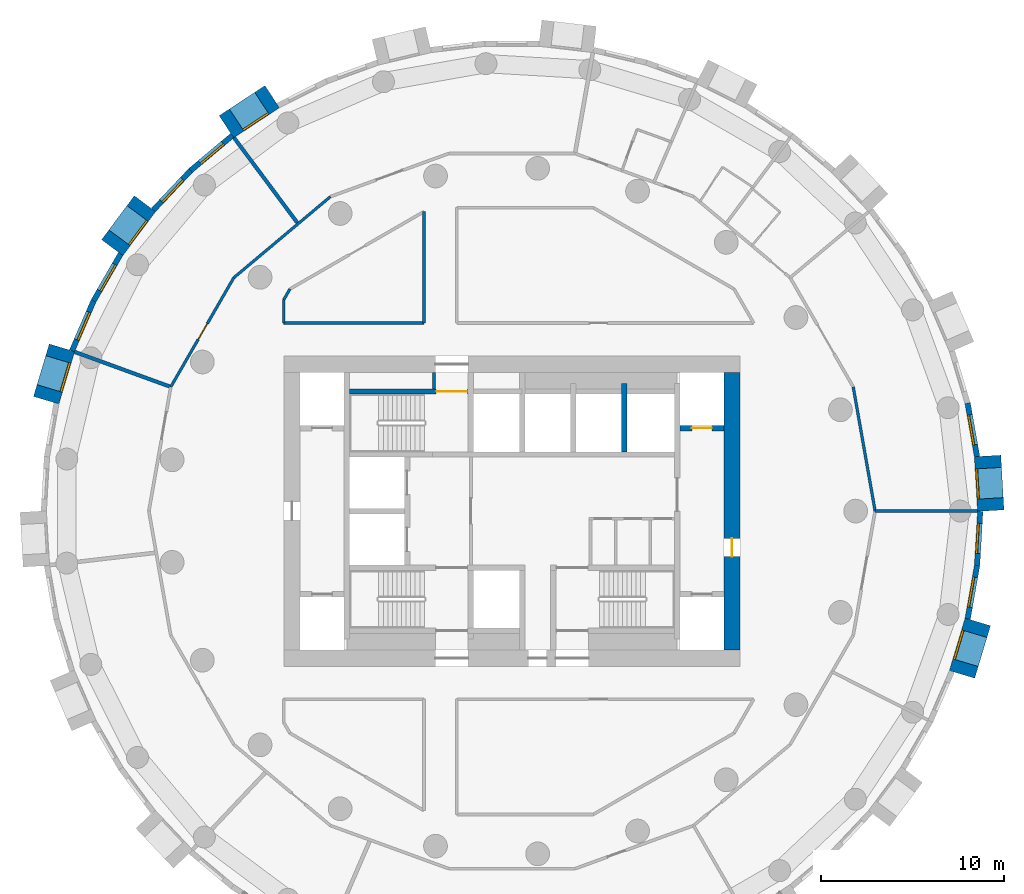
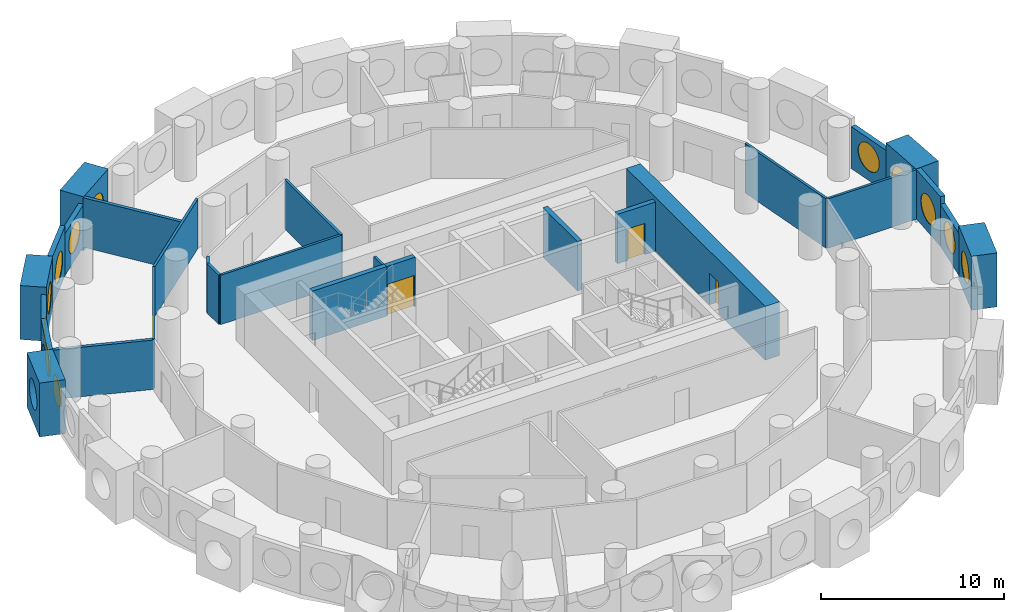
# One storey, part 5 of 9: 28 walls, 12 windows, 4 doors, 16 openings.
"""IFC4 building model written with IfcOpenShell, lengths in metres."""

from ifc_helpers import new_model, si_unit, direction, frame, frame_2d, origin, origin_2d, place, context, subcontext, project, spatial, rectangle, circle, extrude, material, layer, layer_set, type_object, element, fill, save


model = new_model("IFC4")

# Units and contexts
model_context = context("Model", 3, precision=1e-05, world=origin(), true_north=direction((0.0, 1.0)))
body_context = subcontext(model_context, "Body", "Model", "MODEL_VIEW")
ifc_project = project(units=[si_unit("LENGTHUNIT", "METRE"), si_unit("AREAUNIT", "SQUARE_METRE"), si_unit("VOLUMEUNIT", "CUBIC_METRE"), si_unit("PLANEANGLEUNIT", "RADIAN"), si_unit("MASSUNIT", "GRAM", prefix="KILO")], contexts=[model_context])

# Site, building, storey
site_placement = place(None, origin())
site = spatial("IfcSite", under=ifc_project, at=site_placement, CompositionType="ELEMENT")
building_placement = place(site_placement, origin())
building = spatial("IfcBuilding", under=site, at=building_placement, Name="Tracery Tower", CompositionType="ELEMENT")
storey_placement = place(building_placement, frame((0.0, 0.0, 154.800048828125)))
storey = spatial("IfcBuildingStorey", under=building, at=storey_placement, Name="L39", CompositionType="ELEMENT", Elevation=154.800048828125)

# Wall
ifc_material_1 = material(Name="Plasterboard on steel studs", Category="steel")
ifc_layer_1 = layer(ifc_material_1, 0.14990234375)
ifc_layer_set_1 = layer_set([ifc_layer_1], Name="Core room partition 150")
wall_type_1 = type_object("IfcWallType", Name="Core room partition 150", PredefinedType="SOLIDWALL", material=ifc_layer_set_1)
wall_1_placement = place(storey_placement, frame((-4.27490234375, 6.699951171875, 0.0), z_axis=(0.0, 0.0, 1.0), x_axis=(0.0, 1.0, 0.0)))
element("IfcWall", 1, at=wall_1_placement, inside=storey, type_object=wall_type_1, Name="L39 F N room", PredefinedType="SOLIDWALL", context=body_context, shape_type="SweptSolid", body=[
    extrude(rectangle(XDim=0.900146484375, YDim=0.14990234375, at=frame_2d((0.4501953125, 0.0))), origin(), (0.0, 0.0, 1.0), 3.300048828125),
])

# Wall, opening, door
ifc_material_2 = material(Name="Concrete C50/60", Category="concrete")
ifc_layer_2 = layer(ifc_material_2, 0.89990234375)
ifc_layer_set_2 = layer_set([ifc_layer_2], Name="Core wall 900 C50")
wall_type_2 = type_object("IfcWallType", Name="Core wall 900 C50", PredefinedType="SOLIDWALL", material=ifc_layer_set_2)
wall_2_placement = place(storey_placement, frame((12.050048828125, -7.60009765625, 0.0), z_axis=(0.0, 0.0, 1.0), x_axis=(0.0, 1.0, 0.0)))
wall_2 = element("IfcWall", 2, at=wall_2_placement, inside=storey, type_object=wall_type_2, Name="L39 outer E", PredefinedType="SOLIDWALL", context=body_context, shape_type="SweptSolid", body=[
    extrude(rectangle(XDim=15.2001953125, YDim=0.89990234375, at=frame_2d((7.60009765625, 0.0))), origin(), (0.0, 0.0, 1.0), 3.599853515625),
])
opening_1_placement = place(wall_2_placement, frame((5.10009765625, 0.0, 0.0)))
opening_1 = element("IfcOpeningElement", 3, at=opening_1_placement, cuts=wall_2, Name="Opening KD18", PredefinedType="OPENING", context=body_context, shape_type="SweptSolid", body=[
    extrude(rectangle(XDim=1.0, YDim=2.10009765625, at=frame_2d((0.5, 1.050048828125))), frame((0.0, 0.449951171875, 0.0), z_axis=(0.0, -1.0, 0.0), x_axis=(1.0, 0.0, 0.0)), (0.0, 0.0, 1.0), 0.89990234375),
])
ifc_material_3 = material(Name="Steel fire door", Category="steel")
door_type_1 = type_object("IfcDoorType", Name="Core exit door 1000", OperationType="NOTDEFINED", PredefinedType="DOOR", material=ifc_material_3)
door_1_placement = place(opening_1_placement, origin())
door_1 = element("IfcDoor", 4, at=door_1_placement, inside=storey, type_object=door_type_1, Name="Core exit door", OperationType="DOUBLE_DOOR_SINGLE_SWING", OverallHeight=2.10009765625, OverallWidth=1.0, PredefinedType="DOOR", context=body_context, shape_type="SweptSolid", body=[
    extrude(rectangle(XDim=1.0, YDim=2.10009765625, at=frame_2d((0.5, 1.050048828125))), frame((0.0, 0.02490234375, 0.0), z_axis=(0.0, -1.0, 0.0), x_axis=(1.0, 0.0, 0.0)), (0.0, 0.0, 1.0), 0.050048828125),
])
fill(opening_1, door_1)

# Wall, opening, window
ifc_material_4 = material(Name="Precast concrete C50/60", Category="concrete")
ifc_layer_3 = layer(ifc_material_4, 1.449951171875)
ifc_layer_set_3 = layer_set([ifc_layer_3], Name="Deep-set bay unit 3000 x 3600, slab edge 300")
wall_type_3 = type_object("IfcWallType", Name="Deep-set bay unit 3000 x 3600, slab edge 300", PredefinedType="ELEMENTEDWALL", material=ifc_layer_set_3)
wall_3_placement = place(storey_placement, frame((26.221923828125, 0.024658203125, -0.300048828125), z_axis=(0.0, 0.0, 1.0), x_axis=(-0.058106596105, 0.998310384344, 0.0)))
wall_3 = element("IfcWall", 5, at=wall_3_placement, inside=storey, type_object=wall_type_3, Name="Deep-set bay unit 1 at L39", PredefinedType="ELEMENTEDWALL", context=body_context, shape_type="SweptSolid", body=[
    extrude(rectangle(XDim=3.0, YDim=1.449951171875, at=frame_2d((1.5, 0.0))), origin(), (0.0, 0.0, 1.0), 3.60009765625),
])
opening_2_placement = place(wall_3_placement, frame((1.5, 0.0, 1.85009765625)))
opening_2 = element("IfcOpeningElement", 6, at=opening_2_placement, cuts=wall_3, Name="Opening WN1", PredefinedType="OPENING", context=body_context, shape_type="SweptSolid", body=[
    extrude(circle(Radius=0.9000244140625, at=origin_2d()), frame((0.0, 0.73486328125, 0.0), z_axis=(0.0, -1.0, 0.0), x_axis=(1.0, 0.0, 0.0)), (0.0, 0.0, 1.0), 1.469970703125),
])
ifc_material_5 = material(Name="Aluminium frame with tinted double glazing", Category="aluminium")
window_type = type_object("IfcWindowType", Name="Round window 1800", PartitioningType="SINGLE_PANEL", PredefinedType="WINDOW", material=ifc_material_5)
window_1_placement = place(opening_2_placement, origin())
window_1 = element("IfcWindow", 7, at=window_1_placement, inside=storey, type_object=window_type, Name="Round window 1 at L39", OverallHeight=1.800048828125, OverallWidth=1.800048828125, PartitioningType="SINGLE_PANEL", PredefinedType="WINDOW", context=body_context, shape_type="SweptSolid", body=[
    extrude(circle(Radius=0.9000244140625, at=origin_2d()), frame((0.0, 0.69482421875, 0.0), z_axis=(0.0, -1.0, 0.0), x_axis=(1.0, 0.0, 0.0)), (0.0, 0.0, 1.0), 0.10009765625),
])
fill(opening_2, window_1)

wall_4_placement = place(storey_placement, frame((-13.13232421875, 22.696533203125, -0.300048828125), z_axis=(0.0, 0.0, 1.0), x_axis=(-0.835514416706, -0.549468524554, 0.0)))
wall_4 = element("IfcWall", 8, at=wall_4_placement, inside=storey, type_object=wall_type_3, Name="Deep-set bay unit 19 at L39", PredefinedType="ELEMENTEDWALL", context=body_context, shape_type="SweptSolid", body=[
    extrude(rectangle(XDim=3.0, YDim=1.449951171875, at=frame_2d((1.5, 0.0))), origin(), (0.0, 0.0, 1.0), 3.60009765625),
])
opening_3_placement = place(wall_4_placement, frame((1.5, 0.0, 1.85009765625)))
opening_3 = element("IfcOpeningElement", 9, at=opening_3_placement, cuts=wall_4, Name="Opening WN1", PredefinedType="OPENING", context=body_context, shape_type="SweptSolid", body=[
    extrude(circle(Radius=0.9000244140625, at=origin_2d()), frame((0.0, 0.73486328125, 0.0), z_axis=(0.0, -1.0, 0.0), x_axis=(1.0, 0.0, 0.0)), (0.0, 0.0, 1.0), 1.469970703125),
])
window_2_placement = place(opening_3_placement, origin())
window_2 = element("IfcWindow", 10, at=window_2_placement, inside=storey, type_object=window_type, Name="Round window 19 at L39", OverallHeight=1.800048828125, OverallWidth=1.800048828125, PartitioningType="SINGLE_PANEL", PredefinedType="WINDOW", context=body_context, shape_type="SweptSolid", body=[
    extrude(circle(Radius=0.9000244140625, at=origin_2d()), frame((0.0, 0.69482421875, 0.0), z_axis=(0.0, -1.0, 0.0), x_axis=(1.0, 0.0, 0.0)), (0.0, 0.0, 1.0), 0.10009765625),
])
fill(opening_3, window_2)

wall_5_placement = place(storey_placement, frame((-20.10302734375, 16.836181640625, -0.300048828125), z_axis=(0.0, 0.0, 1.0), x_axis=(-0.597183717734, -0.802104486506, 0.0)))
wall_5 = element("IfcWall", 11, at=wall_5_placement, inside=storey, type_object=wall_type_3, Name="Deep-set bay unit 22 at L39", PredefinedType="ELEMENTEDWALL", context=body_context, shape_type="SweptSolid", body=[
    extrude(rectangle(XDim=3.0, YDim=1.449951171875, at=frame_2d((1.5, 0.0))), origin(), (0.0, 0.0, 1.0), 3.60009765625),
])
opening_4_placement = place(wall_5_placement, frame((1.5, 0.0, 1.85009765625)))
opening_4 = element("IfcOpeningElement", 12, at=opening_4_placement, cuts=wall_5, Name="Opening WN1", PredefinedType="OPENING", context=body_context, shape_type="SweptSolid", body=[
    extrude(circle(Radius=0.9000244140625, at=origin_2d()), frame((0.0, 0.73486328125, 0.0), z_axis=(0.0, -1.0, 0.0), x_axis=(1.0, 0.0, 0.0)), (0.0, 0.0, 1.0), 1.469970703125),
])
window_3_placement = place(opening_4_placement, origin())
window_3 = element("IfcWindow", 13, at=window_3_placement, inside=storey, type_object=window_type, Name="Round window 22 at L39", OverallHeight=1.800048828125, OverallWidth=1.800048828125, PartitioningType="SINGLE_PANEL", PredefinedType="WINDOW", context=body_context, shape_type="SweptSolid", body=[
    extrude(circle(Radius=0.9000244140625, at=origin_2d()), frame((0.0, 0.69482421875, 0.0), z_axis=(0.0, -1.0, 0.0), x_axis=(1.0, 0.0, 0.0)), (0.0, 0.0, 1.0), 0.10009765625),
])
fill(opening_4, window_3)

wall_6_placement = place(storey_placement, frame((-24.649169921875, 8.9453125, -0.300048828125), z_axis=(0.0, 0.0, 1.0), x_axis=(-0.286780420304, -0.957996341606, 0.0)))
wall_6 = element("IfcWall", 14, at=wall_6_placement, inside=storey, type_object=wall_type_3, Name="Deep-set bay unit 25 at L39", PredefinedType="ELEMENTEDWALL", context=body_context, shape_type="SweptSolid", body=[
    extrude(rectangle(XDim=3.0, YDim=1.449951171875, at=frame_2d((1.5, 0.0))), origin(), (0.0, 0.0, 1.0), 3.60009765625),
])
opening_5_placement = place(wall_6_placement, frame((1.5, 0.0, 1.85009765625)))
opening_5 = element("IfcOpeningElement", 15, at=opening_5_placement, cuts=wall_6, Name="Opening WN1", PredefinedType="OPENING", context=body_context, shape_type="SweptSolid", body=[
    extrude(circle(Radius=0.9000244140625, at=origin_2d()), frame((0.0, 0.73486328125, 0.0), z_axis=(0.0, -1.0, 0.0), x_axis=(1.0, 0.0, 0.0)), (0.0, 0.0, 1.0), 1.469970703125),
])
window_4_placement = place(opening_5_placement, origin())
window_4 = element("IfcWindow", 16, at=window_4_placement, inside=storey, type_object=window_type, Name="Round window 25 at L39", OverallHeight=1.800048828125, OverallWidth=1.800048828125, PartitioningType="SINGLE_PANEL", PredefinedType="WINDOW", context=body_context, shape_type="SweptSolid", body=[
    extrude(circle(Radius=0.9000244140625, at=origin_2d()), frame((0.0, 0.69482421875, 0.0), z_axis=(0.0, -1.0, 0.0), x_axis=(1.0, 0.0, 0.0)), (0.0, 0.0, 1.0), 0.10009765625),
])
fill(opening_5, window_4)

wall_7_placement = place(storey_placement, frame((24.649169921875, -8.9453125, -0.300048828125), z_axis=(0.0, 0.0, 1.0), x_axis=(0.286780420304, 0.957996341606, 0.0)))
wall_7 = element("IfcWall", 17, at=wall_7_placement, inside=storey, type_object=wall_type_3, Name="Deep-set bay unit 52 at L39", PredefinedType="ELEMENTEDWALL", context=body_context, shape_type="SweptSolid", body=[
    extrude(rectangle(XDim=3.0, YDim=1.449951171875, at=frame_2d((1.5, 0.0))), origin(), (0.0, 0.0, 1.0), 3.60009765625),
])
opening_6_placement = place(wall_7_placement, frame((1.5, 0.0, 1.85009765625)))
opening_6 = element("IfcOpeningElement", 18, at=opening_6_placement, cuts=wall_7, Name="Opening WN1", PredefinedType="OPENING", context=body_context, shape_type="SweptSolid", body=[
    extrude(circle(Radius=0.9000244140625, at=origin_2d()), frame((0.0, 0.73486328125, 0.0), z_axis=(0.0, -1.0, 0.0), x_axis=(1.0, 0.0, 0.0)), (0.0, 0.0, 1.0), 1.469970703125),
])
window_5_placement = place(opening_6_placement, origin())
window_5 = element("IfcWindow", 19, at=window_5_placement, inside=storey, type_object=window_type, Name="Round window 52 at L39", OverallHeight=1.800048828125, OverallWidth=1.800048828125, PartitioningType="SINGLE_PANEL", PredefinedType="WINDOW", context=body_context, shape_type="SweptSolid", body=[
    extrude(circle(Radius=0.9000244140625, at=origin_2d()), frame((0.0, 0.69482421875, 0.0), z_axis=(0.0, -1.0, 0.0), x_axis=(1.0, 0.0, 0.0)), (0.0, 0.0, 1.0), 0.10009765625),
])
fill(opening_6, window_5)

ifc_material_6 = material(Name="Precast concrete C50/60", Category="concrete")
ifc_layer_4 = layer(ifc_material_6, 0.300048828125)
ifc_layer_set_4 = layer_set([ifc_layer_4], Name="Facade panel 3000 x 2800")
wall_type_4 = type_object("IfcWallType", Name="Facade panel 3000 x 2800", PredefinedType="SOLIDWALL", material=ifc_layer_set_4)
wall_8_placement = place(storey_placement, frame((25.472412109375, 2.987060546875, 0.0), z_axis=(0.0, 0.0, 1.0), x_axis=(-0.173686952598, 0.984800915159, 0.0)))
wall_8 = element("IfcWall", 20, at=wall_8_placement, inside=storey, type_object=wall_type_4, Name="Facade panel 2 at L39", PredefinedType="SOLIDWALL", context=body_context, shape_type="SweptSolid", body=[
    extrude(rectangle(XDim=2.972900390625, YDim=0.300048828125, at=frame_2d((1.486328125, 0.0))), origin(), (0.0, 0.0, 1.0), 2.800048828125),
])
opening_7_placement = place(wall_8_placement, frame((1.486328125, 0.0, 1.5498046875)))
opening_7 = element("IfcOpeningElement", 21, at=opening_7_placement, cuts=wall_8, Name="Opening WN1", PredefinedType="OPENING", context=body_context, shape_type="SweptSolid", body=[
    extrude(circle(Radius=0.9000244140625, at=origin_2d()), frame((0.0, 0.159912109375, 0.0), z_axis=(0.0, -1.0, 0.0), x_axis=(1.0, 0.0, 0.0)), (0.0, 0.0, 1.0), 0.320068359375),
])
window_6_placement = place(opening_7_placement, origin())
window_6 = element("IfcWindow", 22, at=window_6_placement, inside=storey, type_object=window_type, Name="Round window 2 at L39", OverallHeight=1.800048828125, OverallWidth=1.800048828125, PartitioningType="SINGLE_PANEL", PredefinedType="WINDOW", context=body_context, shape_type="SweptSolid", body=[
    extrude(circle(Radius=0.9000244140625, at=origin_2d()), frame((0.0, 0.1201171875, 0.0), z_axis=(0.0, -1.0, 0.0), x_axis=(1.0, 0.0, 0.0)), (0.0, 0.0, 1.0), 0.10009765625),
])
fill(opening_7, window_6)

wall_9_placement = place(storey_placement, frame((-15.322998046875, 20.566162109375, 0.0), z_axis=(0.0, 0.0, 1.0), x_axis=(-0.766049350637, -0.642781761089, 0.0)))
wall_9 = element("IfcWall", 23, at=wall_9_placement, inside=storey, type_object=wall_type_4, Name="Facade panel 20 at L39", PredefinedType="SOLIDWALL", context=body_context, shape_type="SweptSolid", body=[
    extrude(rectangle(XDim=2.972900390625, YDim=0.300048828125, at=frame_2d((1.486328125, 0.0))), origin(), (0.0, 0.0, 1.0), 2.800048828125),
])
opening_8_placement = place(wall_9_placement, frame((1.486328125, 0.0, 1.5498046875)))
opening_8 = element("IfcOpeningElement", 24, at=opening_8_placement, cuts=wall_9, Name="Opening WN1", PredefinedType="OPENING", context=body_context, shape_type="SweptSolid", body=[
    extrude(circle(Radius=0.9000244140625, at=origin_2d()), frame((0.0, 0.159912109375, 0.0), z_axis=(0.0, -1.0, 0.0), x_axis=(1.0, 0.0, 0.0)), (0.0, 0.0, 1.0), 0.320068359375),
])
window_7_placement = place(opening_8_placement, origin())
window_7 = element("IfcWindow", 25, at=window_7_placement, inside=storey, type_object=window_type, Name="Round window 20 at L39", OverallHeight=1.800048828125, OverallWidth=1.800048828125, PartitioningType="SINGLE_PANEL", PredefinedType="WINDOW", context=body_context, shape_type="SweptSolid", body=[
    extrude(circle(Radius=0.9000244140625, at=origin_2d()), frame((0.0, 0.1201171875, 0.0), z_axis=(0.0, -1.0, 0.0), x_axis=(1.0, 0.0, 0.0)), (0.0, 0.0, 1.0), 0.10009765625),
])
fill(opening_8, window_7)

wall_10_placement = place(storey_placement, frame((-21.432861328125, 14.085205078125, 0.0), z_axis=(0.0, 0.0, 1.0), x_axis=(-0.500016263033, -0.866016014115, 0.0)))
wall_10 = element("IfcWall", 26, at=wall_10_placement, inside=storey, type_object=wall_type_4, Name="Facade panel 23 at L39", PredefinedType="SOLIDWALL", context=body_context, shape_type="SweptSolid", body=[
    extrude(rectangle(XDim=2.97314453125, YDim=0.300048828125, at=frame_2d((1.486572265625, 0.0))), origin(), (0.0, 0.0, 1.0), 2.800048828125),
])
opening_9_placement = place(wall_10_placement, frame((1.486328125, 0.0, 1.5498046875)))
opening_9 = element("IfcOpeningElement", 27, at=opening_9_placement, cuts=wall_10, Name="Opening WN1", PredefinedType="OPENING", context=body_context, shape_type="SweptSolid", body=[
    extrude(circle(Radius=0.9000244140625, at=origin_2d()), frame((0.0, 0.159912109375, 0.0), z_axis=(0.0, -1.0, 0.0), x_axis=(1.0, 0.0, 0.0)), (0.0, 0.0, 1.0), 0.320068359375),
])
window_8_placement = place(opening_9_placement, origin())
window_8 = element("IfcWindow", 28, at=window_8_placement, inside=storey, type_object=window_type, Name="Round window 23 at L39", OverallHeight=1.800048828125, OverallWidth=1.800048828125, PartitioningType="SINGLE_PANEL", PredefinedType="WINDOW", context=body_context, shape_type="SweptSolid", body=[
    extrude(circle(Radius=0.9000244140625, at=origin_2d()), frame((0.0, 0.1201171875, 0.0), z_axis=(0.0, -1.0, 0.0), x_axis=(1.0, 0.0, 0.0)), (0.0, 0.0, 1.0), 0.10009765625),
])
fill(opening_9, window_8)

wall_11_placement = place(storey_placement, frame((24.957763671875, -5.9052734375, 0.0), z_axis=(0.0, 0.0, 1.0), x_axis=(0.173686952598, 0.984800915159, 0.0)))
wall_11 = element("IfcWall", 29, at=wall_11_placement, inside=storey, type_object=wall_type_4, Name="Facade panel 53 at L39", PredefinedType="SOLIDWALL", context=body_context, shape_type="SweptSolid", body=[
    extrude(rectangle(XDim=2.972900390625, YDim=0.300048828125, at=frame_2d((1.486328125, 0.0))), origin(), (0.0, 0.0, 1.0), 2.800048828125),
])
opening_10_placement = place(wall_11_placement, frame((1.486328125, 0.0, 1.5498046875)))
opening_10 = element("IfcOpeningElement", 30, at=opening_10_placement, cuts=wall_11, Name="Opening WN1", PredefinedType="OPENING", context=body_context, shape_type="SweptSolid", body=[
    extrude(circle(Radius=0.9000244140625, at=origin_2d()), frame((0.0, 0.159912109375, 0.0), z_axis=(0.0, -1.0, 0.0), x_axis=(1.0, 0.0, 0.0)), (0.0, 0.0, 1.0), 0.320068359375),
])
window_9_placement = place(opening_10_placement, origin())
window_9 = element("IfcWindow", 31, at=window_9_placement, inside=storey, type_object=window_type, Name="Round window 53 at L39", OverallHeight=1.800048828125, OverallWidth=1.800048828125, PartitioningType="SINGLE_PANEL", PredefinedType="WINDOW", context=body_context, shape_type="SweptSolid", body=[
    extrude(circle(Radius=0.9000244140625, at=origin_2d()), frame((0.0, 0.1201171875, 0.0), z_axis=(0.0, -1.0, 0.0), x_axis=(1.0, 0.0, 0.0)), (0.0, 0.0, 1.0), 0.10009765625),
])
fill(opening_10, window_9)

ifc_material_7 = material(Name="Precast concrete C50/60", Category="concrete")
ifc_layer_5 = layer(ifc_material_7, 0.300048828125)
ifc_layer_set_5 = layer_set([ifc_layer_5], Name="Facade panel 3000 x 3300")
wall_type_5 = type_object("IfcWallType", Name="Facade panel 3000 x 3300", PredefinedType="SOLIDWALL", material=ifc_layer_set_5)
wall_12_placement = place(storey_placement, frame((-17.600341796875, 18.6552734375, 0.0), z_axis=(0.0, 0.0, 1.0), x_axis=(-0.686235184166, -0.727379730273, 0.0)))
wall_12 = element("IfcWall", 32, at=wall_12_placement, inside=storey, type_object=wall_type_5, Name="Facade panel 21 at L39", PredefinedType="SOLIDWALL", context=body_context, shape_type="SweptSolid", body=[
    extrude(rectangle(XDim=2.972900390625, YDim=0.300048828125, at=frame_2d((1.486328125, 0.0))), origin(), (0.0, 0.0, 1.0), 3.300048828125),
])
opening_11_placement = place(wall_12_placement, frame((1.486328125, 0.0, 1.5498046875)))
opening_11 = element("IfcOpeningElement", 33, at=opening_11_placement, cuts=wall_12, Name="Opening WN1", PredefinedType="OPENING", context=body_context, shape_type="SweptSolid", body=[
    extrude(circle(Radius=0.9000244140625, at=origin_2d()), frame((0.0, 0.159912109375, 0.0), z_axis=(0.0, -1.0, 0.0), x_axis=(1.0, 0.0, 0.0)), (0.0, 0.0, 1.0), 0.320068359375),
])
window_10_placement = place(opening_11_placement, origin())
window_10 = element("IfcWindow", 34, at=window_10_placement, inside=storey, type_object=window_type, Name="Round window 21 at L39", OverallHeight=1.800048828125, OverallWidth=1.800048828125, PartitioningType="SINGLE_PANEL", PredefinedType="WINDOW", context=body_context, shape_type="SweptSolid", body=[
    extrude(circle(Radius=0.9000244140625, at=origin_2d()), frame((0.0, 0.1201171875, 0.0), z_axis=(0.0, -1.0, 0.0), x_axis=(1.0, 0.0, 0.0)), (0.0, 0.0, 1.0), 0.10009765625),
])
fill(opening_11, window_10)

wall_13_placement = place(storey_placement, frame((-22.91943359375, 11.510498046875, 0.0), z_axis=(0.0, 0.0, 1.0), x_axis=(-0.396078892785, -0.918216483565, 0.0)))
wall_13 = element("IfcWall", 35, at=wall_13_placement, inside=storey, type_object=wall_type_5, Name="Facade panel 24 at L39", PredefinedType="SOLIDWALL", context=body_context, shape_type="SweptSolid", body=[
    extrude(rectangle(XDim=2.972900390625, YDim=0.300048828125, at=frame_2d((1.486328125, 0.0))), origin(), (0.0, 0.0, 1.0), 3.300048828125),
])
opening_12_placement = place(wall_13_placement, frame((1.486328125, 0.0, 1.5498046875)))
opening_12 = element("IfcOpeningElement", 36, at=opening_12_placement, cuts=wall_13, Name="Opening WN1", PredefinedType="OPENING", context=body_context, shape_type="SweptSolid", body=[
    extrude(circle(Radius=0.9000244140625, at=origin_2d()), frame((0.0, 0.159912109375, 0.0), z_axis=(0.0, -1.0, 0.0), x_axis=(1.0, 0.0, 0.0)), (0.0, 0.0, 1.0), 0.320068359375),
])
window_11_placement = place(opening_12_placement, origin())
window_11 = element("IfcWindow", 37, at=window_11_placement, inside=storey, type_object=window_type, Name="Round window 24 at L39", OverallHeight=1.800048828125, OverallWidth=1.800048828125, PartitioningType="SINGLE_PANEL", PredefinedType="WINDOW", context=body_context, shape_type="SweptSolid", body=[
    extrude(circle(Radius=0.9000244140625, at=origin_2d()), frame((0.0, 0.1201171875, 0.0), z_axis=(0.0, -1.0, 0.0), x_axis=(1.0, 0.0, 0.0)), (0.0, 0.0, 1.0), 0.10009765625),
])
fill(opening_12, window_11)

wall_14_placement = place(storey_placement, frame((25.47412109375, -2.9775390625, 0.0), z_axis=(0.0, 0.0, 1.0), x_axis=(0.058139540521, 0.998308466271, 0.0)))
wall_14 = element("IfcWall", 38, at=wall_14_placement, inside=storey, type_object=wall_type_5, Name="Facade panel 54 at L39", PredefinedType="SOLIDWALL", context=body_context, shape_type="SweptSolid", body=[
    extrude(rectangle(XDim=2.97314453125, YDim=0.300048828125, at=frame_2d((1.486572265625, 0.0))), origin(), (0.0, 0.0, 1.0), 3.300048828125),
])
opening_13_placement = place(wall_14_placement, frame((1.486328125, 0.0, 1.5498046875)))
opening_13 = element("IfcOpeningElement", 39, at=opening_13_placement, cuts=wall_14, Name="Opening WN1", PredefinedType="OPENING", context=body_context, shape_type="SweptSolid", body=[
    extrude(circle(Radius=0.9000244140625, at=origin_2d()), frame((0.0, 0.159912109375, 0.0), z_axis=(0.0, -1.0, 0.0), x_axis=(1.0, 0.0, 0.0)), (0.0, 0.0, 1.0), 0.320068359375),
])
window_12_placement = place(opening_13_placement, origin())
window_12 = element("IfcWindow", 40, at=window_12_placement, inside=storey, type_object=window_type, Name="Round window 54 at L39", OverallHeight=1.800048828125, OverallWidth=1.800048828125, PartitioningType="SINGLE_PANEL", PredefinedType="WINDOW", context=body_context, shape_type="SweptSolid", body=[
    extrude(circle(Radius=0.9000244140625, at=origin_2d()), frame((0.0, 0.1201171875, 0.0), z_axis=(0.0, -1.0, 0.0), x_axis=(1.0, 0.0, 0.0)), (0.0, 0.0, 1.0), 0.10009765625),
])
fill(opening_13, window_12)

# Walls
ifc_material_8 = material(Name="Plasterboard on steel studs", Category="steel")
ifc_layer_6 = layer(ifc_material_8, 0.14990234375)
ifc_layer_set_6 = layer_set([ifc_layer_6], Name="Partition 150 acoustic unit wall")
wall_type_6 = type_object("IfcWallType", Name="Partition 150 acoustic unit wall", PredefinedType="PARTITIONING", material=ifc_layer_set_6)
wall_15_placement = place(storey_placement, frame((19.887939453125, 0.0, 0.0), z_axis=(0.0, 0.0, 1.0), x_axis=(1.0, 0.0, 0.0)))
element("IfcWall", 41, at=wall_15_placement, inside=storey, type_object=wall_type_6, Name="Unit wall RB3-040", PredefinedType="PARTITIONING", context=body_context, shape_type="SweptSolid", body=[
    extrude(rectangle(XDim=5.609130859375, YDim=0.14990234375, at=frame_2d((2.8046875, 0.0))), origin(), (0.0, 0.0, 1.0), 3.300048828125),
])
ifc_material_9 = material(Name="Plasterboard on steel studs", Category="steel")
ifc_layer_7 = layer(ifc_material_9, 0.14990234375)
ifc_layer_set_7 = layer_set([ifc_layer_7], Name="Partition 150 corridor wall")
wall_type_7 = type_object("IfcWallType", Name="Partition 150 corridor wall", PredefinedType="PARTITIONING", material=ifc_layer_set_7)
wall_16_placement = place(storey_placement, frame((-12.50390625, 10.300048828125, 0.0), z_axis=(0.0, 0.0, 1.0), x_axis=(1.0, 0.0, 0.0)))
element("IfcWall", 42, at=wall_16_placement, inside=storey, type_object=wall_type_7, Name="Corridor wall RB3-001", PredefinedType="PARTITIONING", context=body_context, shape_type="SweptSolid", body=[
    extrude(rectangle(XDim=7.68701171875, YDim=0.14990234375, at=frame_2d((3.843505859375, 0.0))), origin(), (0.0, 0.0, 1.0), 3.300048828125),
])
wall_17_placement = place(storey_placement, frame((18.68798828125, 6.802001953125, 0.0), z_axis=(0.0, 0.0, 1.0), x_axis=(0.173728873845, -0.98479352069, 0.0)))
element("IfcWall", 43, at=wall_17_placement, inside=storey, type_object=wall_type_7, Name="Corridor wall RB3-008", PredefinedType="PARTITIONING", context=body_context, shape_type="SweptSolid", body=[
    extrude(rectangle(XDim=6.906982421875, YDim=0.14990234375, at=frame_2d((3.45361328125, 0.0))), origin(), (0.0, 0.0, 1.0), 3.300048828125),
])
wall_18_placement = place(storey_placement, frame((-4.821044921875, 10.300048828125, 0.0), z_axis=(0.0, 0.0, 1.0), x_axis=(0.0, 1.0, 0.0)))
element("IfcWall", 44, at=wall_18_placement, inside=storey, type_object=wall_type_7, Name="Corridor wall RB3-013", PredefinedType="PARTITIONING", context=body_context, shape_type="SweptSolid", body=[
    extrude(rectangle(XDim=6.100830078125, YDim=0.14990234375, at=frame_2d((3.05029296875, 0.0))), origin(), (0.0, 0.0, 1.0), 3.300048828125),
])
wall_19_placement = place(storey_placement, frame((-15.23388671875, 12.78271484375, 0.0), z_axis=(0.0, 0.0, 1.0), x_axis=(0.765936018543, 0.642916802937, 0.0)))
element("IfcWall", 45, at=wall_19_placement, inside=storey, type_object=wall_type_7, Name="Corridor wall RB3-019", PredefinedType="PARTITIONING", context=body_context, shape_type="SweptSolid", body=[
    extrude(rectangle(XDim=6.90625, YDim=0.14990234375, at=frame_2d((3.453125, 0.0))), origin(), (0.0, 0.0, 1.0), 3.300048828125),
])
wall_20_placement = place(storey_placement, frame((-12.5, 11.576904296875, 0.0), z_axis=(0.0, 0.0, 1.0), x_axis=(0.500024767483, 0.866011103799, 0.0)))
element("IfcWall", 46, at=wall_20_placement, inside=storey, type_object=wall_type_7, Name="Corridor wall RB3-022", PredefinedType="PARTITIONING", context=body_context, shape_type="SweptSolid", body=[
    extrude(rectangle(XDim=0.67578125, YDim=0.14990234375, at=frame_2d((0.337890625, 0.0))), origin(), (0.0, 0.0, 1.0), 3.300048828125),
])
wall_21_placement = place(storey_placement, frame((-12.5, 10.300048828125, 0.0), z_axis=(0.0, 0.0, 1.0), x_axis=(0.0, 1.0, 0.0)))
element("IfcWall", 47, at=wall_21_placement, inside=storey, type_object=wall_type_7, Name="Corridor wall RB3-023", PredefinedType="PARTITIONING", context=body_context, shape_type="SweptSolid", body=[
    extrude(rectangle(XDim=1.27685546875, YDim=0.14990234375, at=frame_2d((0.638427734375, 0.0))), origin(), (0.0, 0.0, 1.0), 3.300048828125),
])

# Wall, opening, door
wall_22_placement = place(storey_placement, frame((-18.68798828125, 6.802001953125, 0.0), z_axis=(0.0, 0.0, 1.0), x_axis=(0.499914202267, 0.866074933462, 0.0)))
wall_22 = element("IfcWall", 48, at=wall_22_placement, inside=storey, type_object=wall_type_7, Name="Corridor wall RB3-026", PredefinedType="PARTITIONING", context=body_context, shape_type="SweptSolid", body=[
    extrude(rectangle(XDim=6.906982421875, YDim=0.14990234375, at=frame_2d((3.45361328125, 0.0))), origin(), (0.0, 0.0, 1.0), 3.300048828125),
])
opening_14_placement = place(wall_22_placement, frame((3.00390625, 0.0, 0.0)))
opening_14 = element("IfcOpeningElement", 49, at=opening_14_placement, cuts=wall_22, Name="Opening RB3-13", PredefinedType="OPENING", context=body_context, shape_type="SweptSolid", body=[
    extrude(rectangle(XDim=1.0, YDim=2.0400390625, at=frame_2d((0.5, 1.02001953125))), frame((0.0, 0.074951171875, 0.0), z_axis=(0.0, -1.0, 0.0), x_axis=(1.0, 0.0, 0.0)), (0.0, 0.0, 1.0), 0.14990234375),
])
ifc_material_10 = material(Name="Timber door leaf", Category="wood")
door_type_2 = type_object("IfcDoorType", Name="Door communal room 1000", OperationType="NOTDEFINED", PredefinedType="DOOR", material=ifc_material_10)
door_2_placement = place(opening_14_placement, origin())
door_2 = element("IfcDoor", 50, at=door_2_placement, inside=storey, type_object=door_type_2, Name="Communal room door RB3-13", OperationType="SINGLE_SWING_RIGHT", OverallHeight=2.0400390625, OverallWidth=1.0, PredefinedType="DOOR", context=body_context, shape_type="SweptSolid", body=[
    extrude(rectangle(XDim=1.0, YDim=2.0400390625, at=frame_2d((0.5, 1.02001953125))), frame((0.0, 0.02490234375, 0.0), z_axis=(0.0, -1.0, 0.0), x_axis=(1.0, 0.0, 0.0)), (0.0, 0.0, 1.0), 0.050048828125),
])
fill(opening_14, door_2)

# Walls
ifc_material_11 = material(Name="Plasterboard on steel studs", Category="steel")
ifc_layer_8 = layer(ifc_material_11, 0.199951171875)
ifc_layer_set_8 = layer_set([ifc_layer_8], Name="Partition 200 compartment wall")
wall_type_8 = type_object("IfcWallType", Name="Partition 200 compartment wall", PredefinedType="PARTITIONING", material=ifc_layer_set_8)
wall_23_placement = place(storey_placement, frame((-15.22607421875, 20.451904296875, 0.0), z_axis=(0.0, 0.0, 1.0), x_axis=(0.597151875745, -0.802128192557, 0.0)))
element("IfcWall", 51, at=wall_23_placement, inside=storey, type_object=wall_type_8, Name="Compartment wall RB3-051", PredefinedType="PARTITIONING", context=body_context, shape_type="SweptSolid", body=[
    extrude(rectangle(XDim=5.8779296875, YDim=0.199951171875, at=frame_2d((2.93896484375, 0.0))), origin(), (0.0, 0.0, 1.0), 3.300048828125),
])
wall_24_placement = place(storey_placement, frame((-23.9599609375, 8.720947265625, 0.0), z_axis=(0.0, 0.0, 1.0), x_axis=(0.939686652043, -0.342036541866, 0.0)))
element("IfcWall", 52, at=wall_24_placement, inside=storey, type_object=wall_type_8, Name="Compartment wall RB3-052", PredefinedType="PARTITIONING", context=body_context, shape_type="SweptSolid", body=[
    extrude(rectangle(XDim=5.6103515625, YDim=0.199951171875, at=frame_2d((2.80517578125, 0.0))), origin(), (0.0, 0.0, 1.0), 3.300048828125),
])
ifc_material_12 = material(Name="Concrete C50/60", Category="concrete")
ifc_layer_9 = layer(ifc_material_12, 0.300048828125)
ifc_layer_set_9 = layer_set([ifc_layer_9], Name="Shaft wall 300 C50")
wall_type_9 = type_object("IfcWallType", Name="Shaft wall 300 C50", PredefinedType="SOLIDWALL", material=ifc_layer_set_9)
wall_25_placement = place(storey_placement, frame((6.14990234375, 3.25, 0.0), z_axis=(0.0, 0.0, 1.0), x_axis=(0.0, 1.0, 0.0)))
element("IfcWall", 53, at=wall_25_placement, inside=storey, type_object=wall_type_9, Name="L39 HR sep 3", PredefinedType="SOLIDWALL", context=body_context, shape_type="SweptSolid", body=[
    extrude(rectangle(XDim=3.75, YDim=0.300048828125, at=frame_2d((1.875, 0.0))), origin(), (0.0, 0.0, 1.0), 3.300048828125),
])

# Wall, opening, door
wall_26_placement = place(storey_placement, frame((9.199951171875, 4.550048828125, 0.0), z_axis=(0.0, 0.0, 1.0), x_axis=(1.0, 0.0, 0.0)))
wall_26 = element("IfcWall", 54, at=wall_26_placement, inside=storey, type_object=wall_type_9, Name="L39 MR E +4.55", PredefinedType="SOLIDWALL", context=body_context, shape_type="SweptSolid", body=[
    extrude(rectangle(XDim=2.400146484375, YDim=0.300048828125, at=frame_2d((1.2001953125, 0.0))), origin(), (0.0, 0.0, 1.0), 3.300048828125),
])
opening_15_placement = place(wall_26_placement, frame((0.64990234375, 0.0, 0.0)))
opening_15 = element("IfcOpeningElement", 55, at=opening_15_placement, cuts=wall_26, Name="Opening KD49", PredefinedType="OPENING", context=body_context, shape_type="SweptSolid", body=[
    extrude(rectangle(XDim=1.10009765625, YDim=2.10009765625, at=frame_2d((0.550048828125, 1.050048828125))), frame((0.0, 0.14990234375, 0.0), z_axis=(0.0, -1.0, 0.0), x_axis=(1.0, 0.0, 0.0)), (0.0, 0.0, 1.0), 0.300048828125),
])
ifc_material_13 = material(Name="Steel fire door", Category="steel")
door_type_3 = type_object("IfcDoorType", Name="Landing door 1100", OperationType="NOTDEFINED", PredefinedType="DOOR", material=ifc_material_13)
door_3_placement = place(opening_15_placement, origin())
door_3 = element("IfcDoor", 56, at=door_3_placement, inside=storey, type_object=door_type_3, Name="Landing door MR4", OperationType="SLIDING_TO_LEFT", OverallHeight=2.10009765625, OverallWidth=1.10009765625, PredefinedType="DOOR", context=body_context, shape_type="SweptSolid", body=[
    extrude(rectangle(XDim=1.10009765625, YDim=2.10009765625, at=frame_2d((0.550048828125, 1.050048828125))), frame((0.0, 0.02490234375, 0.0), z_axis=(0.0, -1.0, 0.0), x_axis=(1.0, 0.0, 0.0)), (0.0, 0.0, 1.0), 0.050048828125),
])
fill(opening_15, door_3)

# Wall
ifc_material_14 = material(Name="Concrete C50/60", Category="concrete")
ifc_layer_10 = layer(ifc_material_14, 0.300048828125)
ifc_layer_set_10 = layer_set([ifc_layer_10], Name="Stair wall 300 C50")
wall_type_10 = type_object("IfcWallType", Name="Stair wall 300 C50", PredefinedType="SOLIDWALL", material=ifc_layer_set_10)
wall_27_placement = place(storey_placement, frame((-8.89990234375, 6.550048828125, 0.0), z_axis=(0.0, 0.0, 1.0), x_axis=(1.0, 0.0, 0.0)))
element("IfcWall", 57, at=wall_27_placement, inside=storey, type_object=wall_type_10, Name="L39 F N W", PredefinedType="SOLIDWALL", context=body_context, shape_type="SweptSolid", body=[
    extrude(rectangle(XDim=4.699951171875, YDim=0.300048828125, at=frame_2d((2.35009765625, 0.0))), origin(), (0.0, 0.0, 1.0), 3.300048828125),
])

# Wall, opening, door
wall_28_placement = place(storey_placement, frame((-4.199951171875, 6.550048828125, 0.0), z_axis=(0.0, 0.0, 1.0), x_axis=(1.0, 0.0, 0.0)))
wall_28 = element("IfcWall", 58, at=wall_28_placement, inside=storey, type_object=wall_type_10, Name="L39 F stair N", PredefinedType="SOLIDWALL", context=body_context, shape_type="SweptSolid", body=[
    extrude(rectangle(XDim=1.800048828125, YDim=0.300048828125, at=frame_2d((0.89990234375, 0.0))), origin(), (0.0, 0.0, 1.0), 3.300048828125),
])
opening_16_placement = place(wall_28_placement, frame((0.050048828125, 0.0, 0.0)))
opening_16 = element("IfcOpeningElement", 59, at=opening_16_placement, cuts=wall_28, Name="Opening KD3", PredefinedType="OPENING", context=body_context, shape_type="SweptSolid", body=[
    extrude(rectangle(XDim=1.699951171875, YDim=2.10009765625, at=frame_2d((0.85009765625, 1.050048828125))), frame((0.0, 0.14990234375, 0.0), z_axis=(0.0, -1.0, 0.0), x_axis=(1.0, 0.0, 0.0)), (0.0, 0.0, 1.0), 0.300048828125),
])
ifc_material_15 = material(Name="Steel fire door", Category="steel")
door_type_4 = type_object("IfcDoorType", Name="Core stair door 1700 double", OperationType="NOTDEFINED", PredefinedType="DOOR", material=ifc_material_15)
door_4_placement = place(opening_16_placement, origin())
door_4 = element("IfcDoor", 60, at=door_4_placement, inside=storey, type_object=door_type_4, Name="Stair door vest", OperationType="DOUBLE_DOOR_SINGLE_SWING", OverallHeight=2.10009765625, OverallWidth=1.699951171875, PredefinedType="DOOR", context=body_context, shape_type="SweptSolid", body=[
    extrude(rectangle(XDim=1.699951171875, YDim=2.10009765625, at=frame_2d((0.85009765625, 1.050048828125))), frame((0.0, 0.02490234375, 0.0), z_axis=(0.0, -1.0, 0.0), x_axis=(1.0, 0.0, 0.0)), (0.0, 0.0, 1.0), 0.050048828125),
])
fill(opening_16, door_4)

save(model, "model.ifc")
